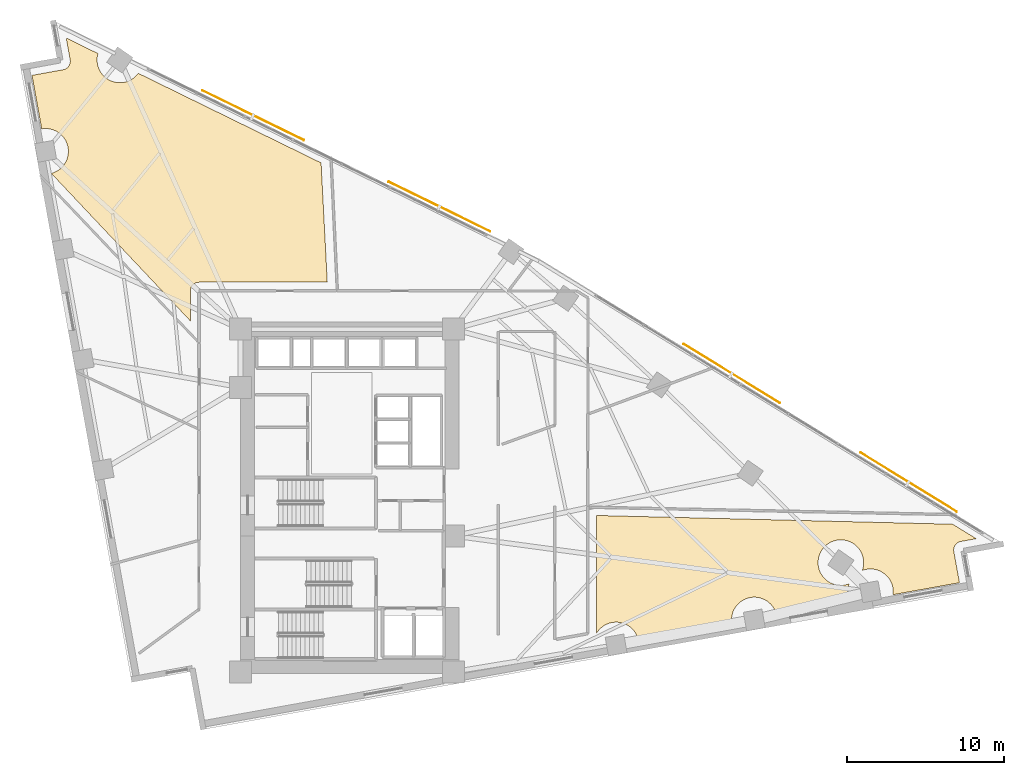
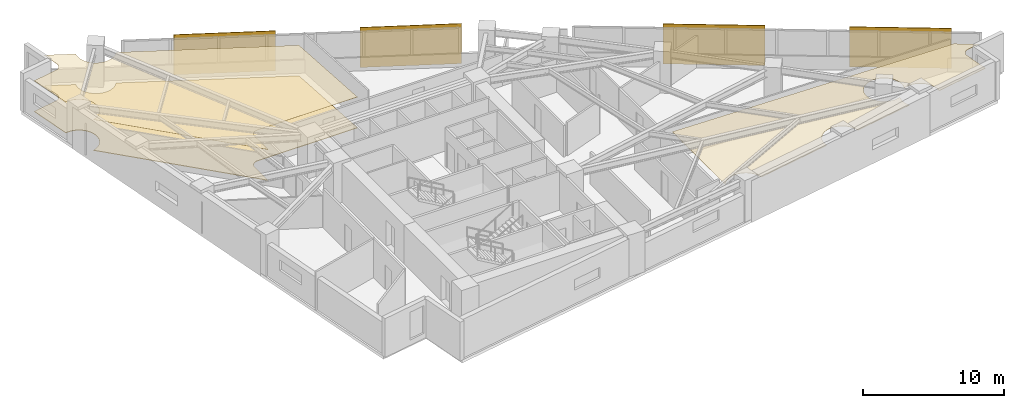
# One storey, part 18 of 18: 4 shading devices, 3 coverings.
"""IFC4 building model written with IfcOpenShell, lengths in metres."""

import ifcopenshell
import ifcopenshell.guid

model = None  # the IFC model being written
_history = None  # IfcOwnerHistory: only IFC2X3 demands one
_inside = {}  # id of a spatial element -> (the spatial element, [elements in it])
_under = {}  # id of a project, library or spatial element -> (it, [spatial elements below it])
_declared = {}  # id of a project -> (the project, [libraries it declares])
_typed = {}  # id of a type object -> (the type object, [elements of that type])
_made_of = {}  # id of a material, layer set ... -> (it, [elements and type objects made of it])


def new_model(schema):
    """Start an empty IFC model of exactly this schema.

    Asked for "IFC4X3", IfcOpenShell would pick the latest addendum, in which some entities
    have other attributes; the version numbers below select the first issue.
    IFC2X3 requires an IfcOwnerHistory on every rooted entity: one is made here for all.
    """
    global model, _history
    if schema == "IFC4X3":
        model = ifcopenshell.file(schema_version=(4, 3, 0, 0))
    else:
        model = ifcopenshell.file(schema=schema)
    _inside.clear()
    _under.clear()
    _declared.clear()
    _typed.clear()
    _made_of.clear()
    _history = None
    if model.schema == "IFC2X3":
        org = make("IfcOrganization", Name="unknown")
        user = make(
            "IfcPersonAndOrganization",
            ThePerson=make("IfcPerson", FamilyName="unknown"),
            TheOrganization=org,
        )
        app = make(
            "IfcApplication",
            ApplicationDeveloper=org,
            Version="unknown",
            ApplicationFullName="unknown",
            ApplicationIdentifier="unknown",
        )
        _history = make(
            "IfcOwnerHistory",
            OwningUser=user,
            OwningApplication=app,
            ChangeAction="ADDED",
            CreationDate=0,
        )
    return model


def make(cls, **values):
    """One entity of the class cls with the attributes given. An attribute that is None is left unset."""
    return model.create_entity(
        cls, **{name: value for name, value in values.items() if value is not None}
    )


def rooted(cls, **values):
    """An entity with a GlobalId (a new one), such as an element, a storey or a relation."""
    return make(cls, GlobalId=ifcopenshell.guid.new(), OwnerHistory=_history, **values)


def si_unit(unit_type, name, prefix=None):
    """IfcSIUnit, for example si_unit("LENGTHUNIT", "METRE", prefix="MILLI")."""
    return make("IfcSIUnit", UnitType=unit_type, Prefix=prefix, Name=name)


def assignment(units):
    """IfcUnitAssignment: the units of a project."""
    return None if units is None else make("IfcUnitAssignment", Units=units)


def point(xyz):
    """IfcCartesianPoint."""
    return None if xyz is None else make("IfcCartesianPoint", Coordinates=xyz)


def direction(xyz):
    """IfcDirection."""
    return None if xyz is None else make("IfcDirection", DirectionRatios=xyz)


def frame(location, z_axis=None, x_axis=None):
    """IfcAxis2Placement3D, a coordinate frame: its origin and axes. An axis left out is left unset."""
    return make(
        "IfcAxis2Placement3D",
        Location=point(location),
        Axis=direction(z_axis),
        RefDirection=direction(x_axis),
    )


def frame_2d(location, x_axis=None):
    """IfcAxis2Placement2D, a coordinate frame in the plane: its origin and x axis."""
    return make(
        "IfcAxis2Placement2D", Location=point(location), RefDirection=direction(x_axis)
    )


def origin():
    """The frame at (0, 0, 0) with its axes left unset."""
    return frame((0.0, 0.0, 0.0))


def origin_2d():
    """The frame at (0, 0) in the plane with its x axis left unset."""
    return frame_2d((0.0, 0.0))


def place(relative_to, where):
    """IfcLocalPlacement: puts the frame where relative to a parent placement (None: the world)."""
    return make(
        "IfcLocalPlacement", PlacementRelTo=relative_to, RelativePlacement=where
    )


def context(
    kind, dimensions, precision=None, world=None, true_north=None, identifier=None
):
    """IfcGeometricRepresentationContext, for example the 3D "Model" context."""
    return make(
        "IfcGeometricRepresentationContext",
        ContextIdentifier=identifier,
        ContextType=kind,
        CoordinateSpaceDimension=dimensions,
        Precision=precision,
        WorldCoordinateSystem=world,
        TrueNorth=true_north,
    )


def subcontext(parent, identifier, kind, view, scale=None):
    """IfcGeometricRepresentationSubContext, for example "Body" below "Model"."""
    return make(
        "IfcGeometricRepresentationSubContext",
        ContextIdentifier=identifier,
        ContextType=kind,
        ParentContext=parent,
        TargetScale=scale,
        TargetView=view,
    )


def project(units=None, contexts=None):
    """IfcProject with its units and contexts."""
    return rooted(
        "IfcProject",
        Name="project",
        RepresentationContexts=contexts,
        UnitsInContext=assignment(units),
    )


def spatial(cls, under=None, at=None, **own):
    """A site, building, storey or space (cls), placed at a placement, below another one or the project."""
    s = rooted(cls, ObjectPlacement=at, **own)
    if under is not None:
        _under.setdefault(under.id(), (under, []))[1].append(s)
    return s


def polyline(points):
    """IfcPolyline through the points."""
    return make("IfcPolyline", Points=[point(p) for p in points])


def profile(cls, at=None, kind="AREA", **sizes):
    """A parametric profile (cls). Its sizes go by their IFC names, for example OverallWidth=200.0."""
    return make(cls, ProfileType=kind, Position=at, **sizes)


def rectangle(**sizes):
    """IfcRectangleProfileDef."""
    return profile("IfcRectangleProfileDef", **sizes)


def outline(outer, holes=None, kind="AREA"):
    """IfcArbitraryClosedProfileDef: a profile drawn as a closed curve; with holes, ...WithVoids."""
    if holes is None:
        return make("IfcArbitraryClosedProfileDef", ProfileType=kind, OuterCurve=outer)
    return make(
        "IfcArbitraryProfileDefWithVoids",
        ProfileType=kind,
        OuterCurve=outer,
        InnerCurves=holes,
    )


def extrude(swept, where, along, depth):
    """IfcExtrudedAreaSolid: the profile swept, set in the frame where, extruded along a direction by depth."""
    return make(
        "IfcExtrudedAreaSolid",
        SweptArea=swept,
        Position=where,
        ExtrudedDirection=direction(along),
        Depth=depth,
    )


def shape(context_of_items, identifier, shape_type, items):
    """IfcShapeRepresentation: the items that make up one representation, for example the "Body"."""
    return make(
        "IfcShapeRepresentation",
        ContextOfItems=context_of_items,
        RepresentationIdentifier=identifier,
        RepresentationType=shape_type,
        Items=items,
    )


def material(Name=None, Category=None):
    """IfcMaterial."""
    return make("IfcMaterial", Name=Name, Category=Category)


def layer(
    of_material, thickness, ventilated=None, Name=None, Category=None, Priority=None
):
    """IfcMaterialLayer: one layer of a wall or slab, of a material (None: an air gap)."""
    return make(
        "IfcMaterialLayer",
        Material=of_material,
        LayerThickness=thickness,
        IsVentilated=ventilated,
        Name=Name,
        Category=Category,
        Priority=Priority,
    )


def layer_set(layers, Name=None):
    """IfcMaterialLayerSet."""
    return make("IfcMaterialLayerSet", MaterialLayers=layers, LayerSetName=Name)


def made_of(thing, what):
    """Note that an element or type object is made of a material, layer set ...; save() writes the relation."""
    if what is not None:
        _made_of.setdefault(what.id(), (what, []))[1].append(thing)
    return thing


def type_object(cls, material=None, **own):
    """A type object (cls), such as IfcWallType, which elements share."""
    return made_of(rooted(cls, **own), material)


def element(
    cls,
    number,
    at=None,
    inside=None,
    cuts=None,
    type_object=None,
    material=None,
    context=None,
    identifier="Body",
    shape_type=None,
    held_by="IfcProductDefinitionShape",
    body=None,
    shapes=None,
    **own,
):
    """One element of the class cls, such as IfcWall. Its Tag is "e" and its number.

    at: its placement. inside: the storey or other place that contains it. cuts: it is an
    opening in that element (IfcRelVoidsElement). A single representation is given by context,
    identifier, shape_type and body (its items); several are given by shapes. held_by: the class
    of the entity that holds the representations. save() writes the other relations.
    """
    e = rooted(cls, Tag="e%d" % number, ObjectPlacement=at, **own)
    if body is not None:
        shapes = [shape(context, identifier, shape_type, body)]
    if shapes is not None:
        e.Representation = make(held_by, Representations=shapes)
    if inside is not None:
        _inside.setdefault(inside.id(), (inside, []))[1].append(e)
    if cuts is not None:
        rooted(
            "IfcRelVoidsElement", RelatingBuildingElement=cuts, RelatedOpeningElement=e
        )
    if type_object is not None:
        _typed.setdefault(type_object.id(), (type_object, []))[1].append(e)
    return made_of(e, material)


def aggregate(whole, parts):
    """IfcRelAggregates: a whole, such as a stair, and the parts it consists of."""
    return rooted("IfcRelAggregates", RelatingObject=whole, RelatedObjects=parts)


def save(model, path):
    """Write the relations noted so far, then the file.

    IfcRelAggregates (storeys below a building ...), IfcRelContainedInSpatialStructure (elements
    in a storey), IfcRelDefinesByType, IfcRelAssociatesMaterial and IfcRelDeclares: one each for
    every whole, place, type object, material and project.
    """
    for whole, parts in _under.values():
        aggregate(whole, parts)
    for where, things in _inside.values():
        rooted(
            "IfcRelContainedInSpatialStructure",
            RelatedElements=things,
            RelatingStructure=where,
        )
    for kind, things in _typed.values():
        rooted("IfcRelDefinesByType", RelatedObjects=things, RelatingType=kind)
    for what, things in _made_of.values():
        rooted("IfcRelAssociatesMaterial", RelatedObjects=things, RelatingMaterial=what)
    for by, libraries in _declared.values():
        rooted("IfcRelDeclares", RelatingContext=by, RelatedDefinitions=libraries)
    model.write(path)


model = new_model("IFC4")

# Units and contexts
model_context = context("Model", 3, precision=1e-05, world=origin(), true_north=direction((0.0, 1.0)))
body_context = subcontext(model_context, "Body", "Model", "MODEL_VIEW")
ifc_project = project(units=[si_unit("LENGTHUNIT", "METRE"), si_unit("AREAUNIT", "SQUARE_METRE"), si_unit("VOLUMEUNIT", "CUBIC_METRE"), si_unit("PLANEANGLEUNIT", "RADIAN"), si_unit("MASSUNIT", "GRAM", prefix="KILO")], contexts=[model_context])

# Site, building, storey
site_placement = place(None, origin())
site = spatial("IfcSite", under=ifc_project, at=site_placement, CompositionType="ELEMENT")
building_placement = place(site_placement, origin())
building = spatial("IfcBuilding", under=site, at=building_placement, Name="Narakoshi Arena Tower", CompositionType="ELEMENT")
storey_placement = place(building_placement, frame((0.0, 0.0, 106.5)))
storey = spatial("IfcBuildingStorey", under=building, at=storey_placement, Name="L28", CompositionType="ELEMENT", Elevation=106.5)

# Coverings
ifc_material_1 = material(Name="Acoustic mineral-fibre ceiling tile")
ifc_layer_1 = layer(ifc_material_1, 0.02001953125)
ifc_layer_set_1 = layer_set([ifc_layer_1], Name="Acoustic mineral-fibre ceiling tile")
covering_type_1 = type_object("IfcCoveringType", Name="COV-CLG-AC20", PredefinedType="CEILING", material=ifc_layer_set_1)
covering_1_placement = place(storey_placement, frame((0.0, 0.0, 2.669921875)))
element("IfcCovering", 1, at=covering_1_placement, inside=storey, type_object=covering_type_1, Name="L28 Suspended Acoustic Ceiling 1", PredefinedType="CEILING", context=body_context, shape_type="SweptSolid", body=[
    extrude(outline(polyline([(60.713623046875, 73.00830078125), (60.76611328125, 73.0205078125), (60.8173828125, 73.037841796875), (60.866455078125, 73.06005859375), (60.9130859375, 73.0869140625), (60.95703125, 73.118408203125), (60.997802734375, 73.154052734375), (61.03466796875, 73.193359375), (61.067626953125, 73.236083984375), (61.09619140625, 73.281982421875), (61.1201171875, 73.330322265625), (61.13916015625, 73.380859375), (61.1533203125, 73.432861328125), (61.162109375, 73.486083984375), (61.16552734375, 73.5400390625), (61.163818359375, 73.593994140625), (61.156982421875, 73.6474609375), (60.90771484375, 75.025390625), (62.92578125, 74.03662109375), (62.895751953125, 73.916015625), (62.874755859375, 73.775146484375), (62.867919921875, 73.633056640625), (62.874755859375, 73.490966796875), (62.895751953125, 73.35009765625), (62.93017578125, 73.212158203125), (62.978271484375, 73.078125), (63.0390625, 72.949462890625), (63.1123046875, 72.827392578125), (63.197021484375, 72.713134765625), (63.29248046875, 72.607666015625), (63.39794921875, 72.51220703125), (63.51220703125, 72.427490234375), (63.63427734375, 72.354248046875), (63.762939453125, 72.29345703125), (63.89697265625, 72.245361328125), (64.034912109375, 72.2109375), (64.17578125, 72.18994140625), (64.31787109375, 72.18310546875), (64.4599609375, 72.18994140625), (64.6005859375, 72.2109375), (64.73876953125, 72.245361328125), (64.872802734375, 72.29345703125), (65.001220703125, 72.354248046875), (65.123291015625, 72.427490234375), (65.23779296875, 72.51220703125), (65.343017578125, 72.607666015625), (65.438720703125, 72.713134765625), (65.48876953125, 72.78076171875), (77.119873046875, 67.081787109375), (77.514892578125, 59.487060546875), (69.353759765625, 59.487060546875), (69.2998046875, 59.484375), (69.24658203125, 59.476318359375), (69.194091796875, 59.46337890625), (69.143310546875, 59.445068359375), (69.094482421875, 59.422119140625), (69.048095703125, 59.394287109375), (69.0048828125, 59.3623046875), (68.96484375, 59.325927734375), (68.9287109375, 59.285888671875), (68.896484375, 59.24267578125), (68.86865234375, 59.1962890625), (68.845703125, 59.1474609375), (68.827392578125, 59.0966796875), (68.814453125, 59.044189453125), (68.806396484375, 58.990966796875), (68.8037109375, 58.93701171875), (68.8037109375, 57.025390625), (59.95556640625, 66.41357421875), (60.014404296875, 66.42822265625), (60.1484375, 66.476318359375), (60.277099609375, 66.537109375), (60.399169921875, 66.6103515625), (60.513427734375, 66.695068359375), (60.618896484375, 66.79052734375), (60.71435546875, 66.89599609375), (60.799072265625, 67.01025390625), (60.872314453125, 67.13232421875), (60.93310546875, 67.260986328125), (60.981201171875, 67.39501953125), (61.015625, 67.532958984375), (61.03662109375, 67.673828125), (61.04345703125, 67.81591796875), (61.03662109375, 67.9580078125), (61.015625, 68.098876953125), (60.981201171875, 68.23681640625), (60.93310546875, 68.370849609375), (60.872314453125, 68.49951171875), (60.799072265625, 68.62158203125), (60.71435546875, 68.73583984375), (60.618896484375, 68.84130859375), (60.513427734375, 68.936767578125), (60.399169921875, 69.021484375), (60.277099609375, 69.0947265625), (60.1484375, 69.155517578125), (60.014404296875, 69.20361328125), (59.87646484375, 69.238037109375), (59.735595703125, 69.2587890625), (59.593505859375, 69.265869140625), (59.451416015625, 69.2587890625), (59.345458984375, 69.2431640625), (58.7294921875, 72.649658203125), (60.713623046875, 73.00830078125)])), origin(), (0.0, 0.0, 1.0), 0.02001953125),
])
ifc_material_2 = material(Name="Slatted oak acoustic timber baffle", Category="wood")
ifc_layer_2 = layer(ifc_material_2, 0.034912109375)
ifc_layer_set_2 = layer_set([ifc_layer_2], Name="Slatted oak acoustic timber baffle")
covering_type_2 = type_object("IfcCoveringType", Name="COV-CLG-WD35", PredefinedType="CEILING", material=ifc_layer_set_2)
covering_2_placement = place(storey_placement, frame((0.0, 0.0, 2.655029296875)))
element("IfcCovering", 2, at=covering_2_placement, inside=storey, type_object=covering_type_2, Name="L28 Suspended Acoustic Ceiling 2", PredefinedType="CEILING", context=body_context, shape_type="SweptSolid", body=[
    extrude(outline(polyline([(117.766845703125, 42.983154296875), (117.715576171875, 42.9658203125), (117.66650390625, 42.943603515625), (117.61962890625, 42.916748046875), (117.57568359375, 42.88525390625), (117.53515625, 42.849609375), (117.498291015625, 42.810302734375), (117.46533203125, 42.767578125), (117.436767578125, 42.7216796875), (117.412841796875, 42.67333984375), (117.393798828125, 42.622802734375), (117.379638671875, 42.57080078125), (117.370849609375, 42.517578125), (117.3671875, 42.463623046875), (117.368896484375, 42.409912109375), (117.3759765625, 42.356201171875), (117.734619140625, 40.372314453125), (113.506103515625, 39.607421875), (113.51318359375, 39.65576171875), (113.520263671875, 39.7978515625), (113.51318359375, 39.93994140625), (113.492431640625, 40.080810546875), (113.4580078125, 40.21875), (113.409912109375, 40.352783203125), (113.34912109375, 40.4814453125), (113.27587890625, 40.603515625), (113.191162109375, 40.7177734375), (113.095703125, 40.8232421875), (112.990234375, 40.918701171875), (112.8759765625, 41.00341796875), (112.75390625, 41.07666015625), (112.625244140625, 41.137451171875), (112.4912109375, 41.185546875), (112.353271484375, 41.219970703125), (112.21240234375, 41.240966796875), (112.0703125, 41.247802734375), (111.92822265625, 41.240966796875), (111.787353515625, 41.219970703125), (111.6494140625, 41.185546875), (111.548095703125, 41.149169921875), (111.576904296875, 41.229248046875), (111.611328125, 41.3671875), (111.632080078125, 41.508056640625), (111.63916015625, 41.650146484375), (111.632080078125, 41.792236328125), (111.611328125, 41.93310546875), (111.576904296875, 42.071044921875), (111.52880859375, 42.205078125), (111.468017578125, 42.333740234375), (111.394775390625, 42.455810546875), (111.31005859375, 42.570068359375), (111.214599609375, 42.675537109375), (111.109130859375, 42.77099609375), (110.994873046875, 42.855712890625), (110.872802734375, 42.928955078125), (110.744140625, 42.98974609375), (110.610107421875, 43.037841796875), (110.47216796875, 43.072265625), (110.331298828125, 43.09326171875), (110.189208984375, 43.10009765625), (110.047119140625, 43.09326171875), (109.90625, 43.072265625), (109.768310546875, 43.037841796875), (109.63427734375, 42.98974609375), (109.505615234375, 42.928955078125), (109.383544921875, 42.855712890625), (109.269287109375, 42.77099609375), (109.163818359375, 42.675537109375), (109.068359375, 42.570068359375), (108.983642578125, 42.455810546875), (108.910400390625, 42.333740234375), (108.849609375, 42.205078125), (108.801513671875, 42.071044921875), (108.76708984375, 41.93310546875), (108.74609375, 41.792236328125), (108.7392578125, 41.650146484375), (108.74609375, 41.508056640625), (108.76708984375, 41.3671875), (108.801513671875, 41.229248046875), (108.849609375, 41.09521484375), (108.910400390625, 40.966796875), (108.983642578125, 40.844482421875), (109.068359375, 40.730224609375), (109.163818359375, 40.625), (109.269287109375, 40.529296875), (109.383544921875, 40.444580078125), (109.505615234375, 40.371337890625), (109.63427734375, 40.310546875), (109.768310546875, 40.2626953125), (109.90625, 40.22802734375), (110.047119140625, 40.207275390625), (110.189208984375, 40.2001953125), (110.331298828125, 40.207275390625), (110.47216796875, 40.22802734375), (110.610107421875, 40.2626953125), (110.71142578125, 40.298828125), (110.6826171875, 40.21875), (110.648193359375, 40.080810546875), (110.627197265625, 39.93994140625), (110.620361328125, 39.7978515625), (110.627197265625, 39.65576171875), (110.648193359375, 39.514892578125), (110.6826171875, 39.376953125), (110.730712890625, 39.242919921875), (110.79052734375, 39.116455078125), (106.105712890625, 38.269287109375), (106.103515625, 38.284423828125), (106.06884765625, 38.42236328125), (106.02099609375, 38.556396484375), (105.960205078125, 38.68505859375), (105.886962890625, 38.80712890625), (105.80224609375, 38.92138671875), (105.70654296875, 39.02685546875), (105.601318359375, 39.122314453125), (105.48681640625, 39.20703125), (105.36474609375, 39.2802734375), (105.236083984375, 39.341064453125), (105.102294921875, 39.38916015625), (104.964111328125, 39.423583984375), (104.823486328125, 39.444580078125), (104.681396484375, 39.451416015625), (104.539306640625, 39.444580078125), (104.3984375, 39.423583984375), (104.260498046875, 39.38916015625), (104.12646484375, 39.341064453125), (103.997802734375, 39.2802734375), (103.875732421875, 39.20703125), (103.761474609375, 39.122314453125), (103.656005859375, 39.02685546875), (103.560302734375, 38.92138671875), (103.4755859375, 38.80712890625), (103.402587890625, 38.68505859375), (103.341796875, 38.556396484375), (103.293701171875, 38.42236328125), (103.25927734375, 38.284423828125), (103.23828125, 38.1435546875), (103.231201171875, 38.00146484375), (103.23828125, 37.859375), (103.25390625, 37.753662109375), (97.314453125, 36.679443359375), (97.312255859375, 36.694580078125), (97.277587890625, 36.832763671875), (97.229736328125, 36.966796875), (97.1689453125, 37.09521484375), (97.095703125, 37.21728515625), (97.010986328125, 37.331787109375), (96.915283203125, 37.43701171875), (96.81005859375, 37.53271484375), (96.69580078125, 37.617431640625), (96.573486328125, 37.690673828125), (96.445068359375, 37.75146484375), (96.31103515625, 37.79931640625), (96.173095703125, 37.833984375), (96.0322265625, 37.854736328125), (95.89013671875, 37.86181640625), (95.748046875, 37.854736328125), (95.607177734375, 37.833984375), (95.46923828125, 37.79931640625), (95.335205078125, 37.75146484375), (95.20654296875, 37.690673828125), (95.08447265625, 37.617431640625), (94.97021484375, 37.53271484375), (94.86474609375, 37.43701171875), (94.769287109375, 37.331787109375), (94.6845703125, 37.21728515625), (94.646240234375, 37.153564453125), (94.646240234375, 44.649169921875), (117.30029296875, 44.09375), (118.80029296875, 43.172607421875), (117.8193359375, 42.995361328125), (117.766845703125, 42.983154296875)])), origin(), (0.0, 0.0, 1.0), 0.034912109375),
])
ifc_material_3 = material(Name="Raised steel access floor panel", Category="steel")
ifc_layer_3 = layer(ifc_material_3, 0.044921875)
ifc_layer_set_3 = layer_set([ifc_layer_3], Name="Raised steel access floor panel")
covering_type_3 = type_object("IfcCoveringType", Name="COV-FLR-RF45", PredefinedType="FLOORING", material=ifc_layer_set_3)
covering_3_placement = place(storey_placement, origin())
element("IfcCovering", 3, at=covering_3_placement, inside=storey, type_object=covering_type_3, Name="L28 Raised Steel Access Floor", PredefinedType="FLOORING", context=body_context, shape_type="SweptSolid", body=[
    extrude(outline(polyline([(60.713623046875, 73.00830078125), (60.76611328125, 73.0205078125), (60.8173828125, 73.037841796875), (60.866455078125, 73.06005859375), (60.9130859375, 73.0869140625), (60.95703125, 73.118408203125), (60.997802734375, 73.154052734375), (61.03466796875, 73.193359375), (61.067626953125, 73.236083984375), (61.09619140625, 73.281982421875), (61.1201171875, 73.330322265625), (61.13916015625, 73.380859375), (61.1533203125, 73.432861328125), (61.162109375, 73.486083984375), (61.16552734375, 73.5400390625), (61.163818359375, 73.593994140625), (61.156982421875, 73.6474609375), (60.90771484375, 75.025390625), (62.92578125, 74.03662109375), (62.895751953125, 73.916015625), (62.874755859375, 73.775146484375), (62.867919921875, 73.633056640625), (62.874755859375, 73.490966796875), (62.895751953125, 73.35009765625), (62.93017578125, 73.212158203125), (62.978271484375, 73.078125), (63.0390625, 72.949462890625), (63.1123046875, 72.827392578125), (63.197021484375, 72.713134765625), (63.29248046875, 72.607666015625), (63.39794921875, 72.51220703125), (63.51220703125, 72.427490234375), (63.63427734375, 72.354248046875), (63.762939453125, 72.29345703125), (63.89697265625, 72.245361328125), (64.034912109375, 72.2109375), (64.17578125, 72.18994140625), (64.31787109375, 72.18310546875), (64.4599609375, 72.18994140625), (64.6005859375, 72.2109375), (64.73876953125, 72.245361328125), (64.872802734375, 72.29345703125), (65.001220703125, 72.354248046875), (65.123291015625, 72.427490234375), (65.23779296875, 72.51220703125), (65.343017578125, 72.607666015625), (65.438720703125, 72.713134765625), (65.48876953125, 72.78076171875), (77.119873046875, 67.081787109375), (77.514892578125, 59.487060546875), (69.353759765625, 59.487060546875), (69.2998046875, 59.484375), (69.24658203125, 59.476318359375), (69.194091796875, 59.46337890625), (69.143310546875, 59.445068359375), (69.094482421875, 59.422119140625), (69.048095703125, 59.394287109375), (69.0048828125, 59.3623046875), (68.96484375, 59.325927734375), (68.9287109375, 59.285888671875), (68.896484375, 59.24267578125), (68.86865234375, 59.1962890625), (68.845703125, 59.1474609375), (68.827392578125, 59.0966796875), (68.814453125, 59.044189453125), (68.806396484375, 58.990966796875), (68.8037109375, 58.93701171875), (68.8037109375, 57.025390625), (59.95556640625, 66.41357421875), (60.014404296875, 66.42822265625), (60.1484375, 66.476318359375), (60.277099609375, 66.537109375), (60.399169921875, 66.6103515625), (60.513427734375, 66.695068359375), (60.618896484375, 66.79052734375), (60.71435546875, 66.89599609375), (60.799072265625, 67.01025390625), (60.872314453125, 67.13232421875), (60.93310546875, 67.260986328125), (60.981201171875, 67.39501953125), (61.015625, 67.532958984375), (61.03662109375, 67.673828125), (61.04345703125, 67.81591796875), (61.03662109375, 67.9580078125), (61.015625, 68.098876953125), (60.981201171875, 68.23681640625), (60.93310546875, 68.370849609375), (60.872314453125, 68.49951171875), (60.799072265625, 68.62158203125), (60.71435546875, 68.73583984375), (60.618896484375, 68.84130859375), (60.513427734375, 68.936767578125), (60.399169921875, 69.021484375), (60.277099609375, 69.0947265625), (60.1484375, 69.155517578125), (60.014404296875, 69.20361328125), (59.87646484375, 69.238037109375), (59.735595703125, 69.2587890625), (59.593505859375, 69.265869140625), (59.451416015625, 69.2587890625), (59.345458984375, 69.2431640625), (58.7294921875, 72.649658203125), (60.713623046875, 73.00830078125)])), origin(), (0.0, 0.0, 1.0), 0.044921875),
])

# Shading devices
ifc_material_4 = material(Name="Perforated bronze ceramic-metal composite")
ifc_layer_4 = layer(ifc_material_4, 0.044921875)
ifc_layer_set_4 = layer_set([ifc_layer_4], Name="Perforated bronze ceramic-metal composite")
shading_device_type = type_object("IfcShadingDeviceType", Name="SHD-SCR-BRZ1", PredefinedType="USERDEFINED", material=ifc_layer_set_4)
for number, where, z_axis, x_axis, name in (
    (4, (114.495849609375, 46.77001953125, 0.0), (0.0, 0.0, 1.0), (-0.852110807003, 0.523361416794, 0.0), "L28 Perforated Bronze Solar Screen 1-1"),
    (5, (103.247802734375, 53.67822265625, 0.0), (0.0, 0.0, 1.0), (-0.852110807003, 0.523361416794, 0.0), "L28 Perforated Bronze Solar Screen 1-2"),
    (6, (84.6494140625, 64.297119140625, 0.0), (0.0, 0.0, 1.0), (-0.897996860024, 0.440001862936, 0.0), "L28 Perforated Bronze Solar Screen 2-1"),
    (7, (72.7958984375, 70.105224609375, 0.0), (0.0, 0.0, 1.0), (-0.897996860024, 0.440001862936, 0.0), "L28 Perforated Bronze Solar Screen 2-2"),
):
    element("IfcShadingDevice", number, at=place(storey_placement, frame(where, z_axis=z_axis, x_axis=x_axis)), inside=storey, type_object=shading_device_type, Name=name, ObjectType="SOLAR SCREEN", PredefinedType="USERDEFINED", context=body_context, shape_type="SweptSolid", body=[
        extrude(rectangle(XDim=7.199951171875, YDim=0.044921875, at=origin_2d()), origin(), (0.0, 0.0, 1.0), 3.449951171875),
    ])

save(model, "model.ifc")
